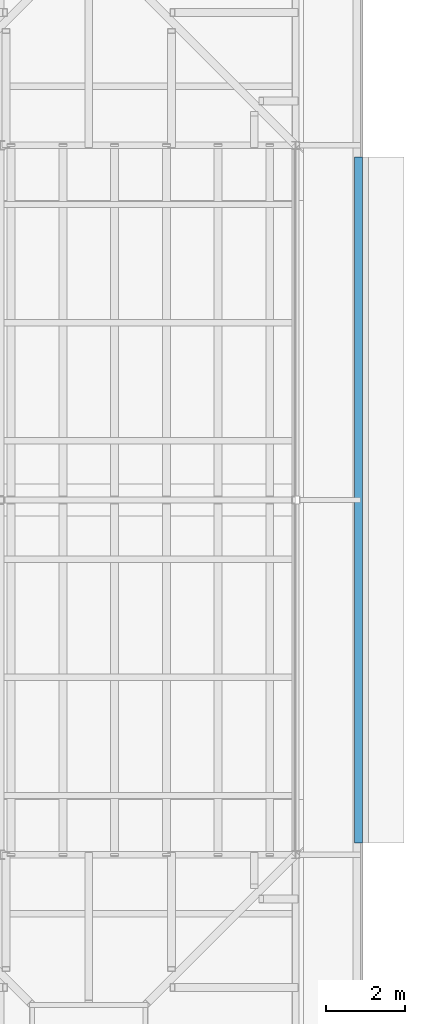
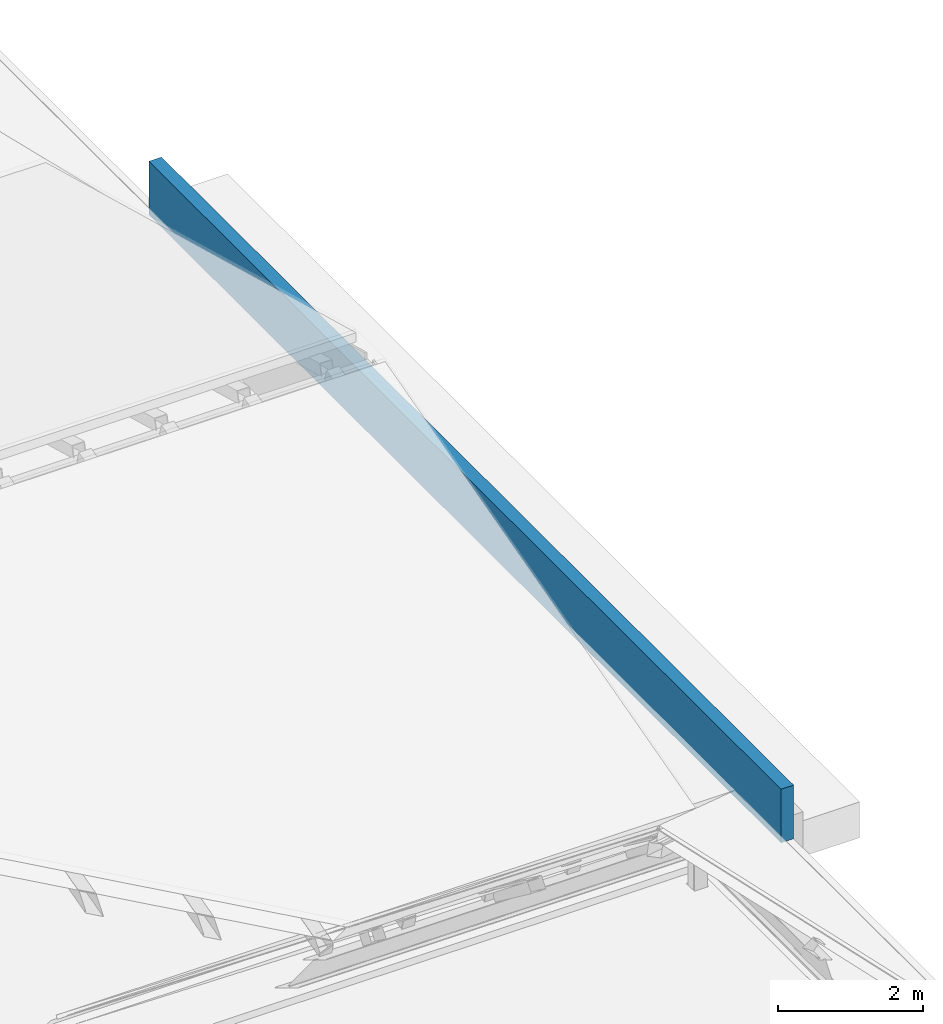
# One storey, part 91 of 121: 1 wall.
"""IFC4 building model written with IfcOpenShell, lengths in metres."""

from ifc_helpers import new_model, si_unit, direction, frame, frame_2d, origin, place, context, subcontext, project, spatial, rectangle, extrude, material, layer, layer_set, type_object, element, save


model = new_model("IFC4")

# Units and contexts
model_context = context("Model", 3, precision=1e-05, world=origin(), true_north=direction((0.0, 1.0)))
body_context = subcontext(model_context, "Body", "Model", "MODEL_VIEW")
ifc_project = project(units=[si_unit("LENGTHUNIT", "METRE"), si_unit("AREAUNIT", "SQUARE_METRE"), si_unit("VOLUMEUNIT", "CUBIC_METRE"), si_unit("PLANEANGLEUNIT", "RADIAN"), si_unit("MASSUNIT", "GRAM", prefix="KILO")], contexts=[model_context])

# Site, building, storey
site_placement = place(None, origin())
site = spatial("IfcSite", under=ifc_project, at=site_placement, CompositionType="ELEMENT")
building_placement = place(site_placement, origin())
building = spatial("IfcBuilding", under=site, at=building_placement, Name="Golden Quay Civic Hall", CompositionType="ELEMENT")
storey_placement = place(building_placement, frame((0.0, 0.0, 18.60009765625)))
storey = spatial("IfcBuildingStorey", under=building, at=storey_placement, Name="L04", CompositionType="ELEMENT", Elevation=18.60009765625)

# Wall
ifc_material = material(Name="Brick, dark clay facing", Category="masonry")
ifc_layer = layer(ifc_material, 0.199951171875)
ifc_layer_set = layer_set([ifc_layer], Name="Parapet 200 x 900")
wall_type = type_object("IfcWallType", Name="Parapet 200 x 900", PredefinedType="PARAPET", material=ifc_layer_set)
wall_placement = place(storey_placement, frame((118.60009765625, 35.699951171875, 0.0), z_axis=(0.0, 0.0, 1.0), x_axis=(0.0, -1.0, 0.0)))
element("IfcWall", 1, at=wall_placement, inside=storey, type_object=wall_type, Name="Parapet 200 x 900 L04 5", PredefinedType="PARAPET", context=body_context, shape_type="SweptSolid", body=[
    extrude(rectangle(XDim=17.39990234375, YDim=0.199951171875, at=frame_2d((8.699951171875, 0.0))), origin(), (0.0, 0.0, 1.0), 0.89990234375),
])

save(model, "model.ifc")
